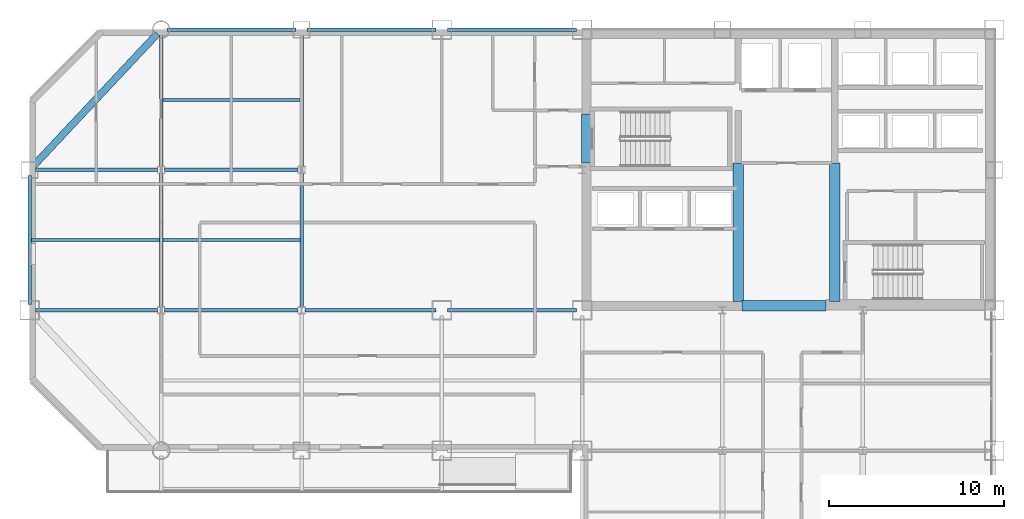
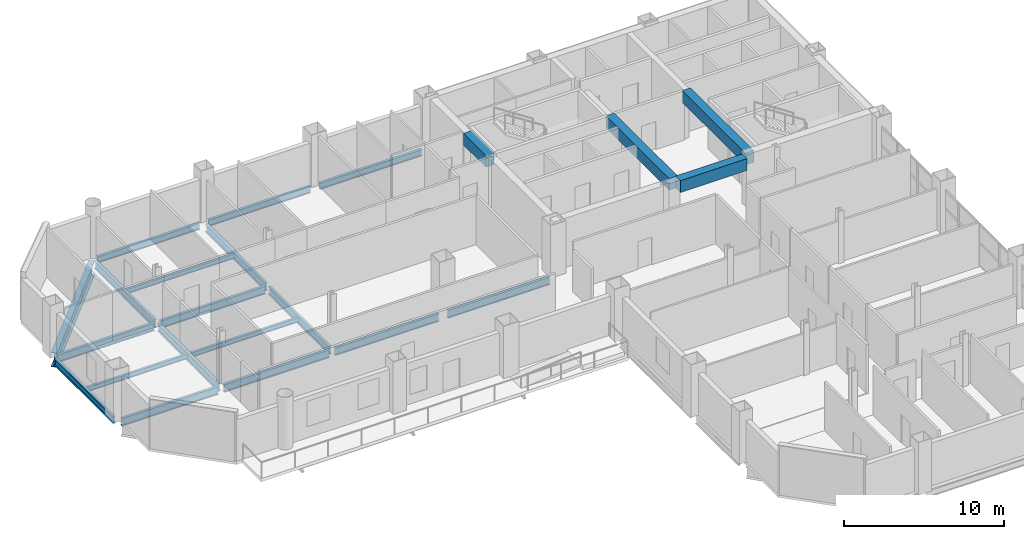
# One storey, part 9 of 16: 22 beams.
"""IFC4 building model written with IfcOpenShell, lengths in metres."""

from ifc_helpers import new_model, si_unit, direction, frame, origin, origin_2d, place, context, subcontext, project, spatial, rectangle, i_section, extrude, material, material_profile, profile_set, type_object, element, save


model = new_model("IFC4")

# Units and contexts
model_context = context("Model", 3, precision=1e-05, world=origin(), true_north=direction((0.0, 1.0)))
body_context = subcontext(model_context, "Body", "Model", "MODEL_VIEW")
ifc_project = project(units=[si_unit("LENGTHUNIT", "METRE"), si_unit("AREAUNIT", "SQUARE_METRE"), si_unit("VOLUMEUNIT", "CUBIC_METRE"), si_unit("PLANEANGLEUNIT", "RADIAN"), si_unit("MASSUNIT", "GRAM", prefix="KILO")], contexts=[model_context])

# Site, building, storey
site_placement = place(None, origin())
site = spatial("IfcSite", under=ifc_project, at=site_placement, CompositionType="ELEMENT")
building_placement = place(site_placement, origin())
building = spatial("IfcBuilding", under=site, at=building_placement, Name="Qianrong Seaharbour Tower", CompositionType="ELEMENT")
storey_placement = place(building_placement, frame((0.0, 0.0, 119.0)))
storey = spatial("IfcBuildingStorey", under=building, at=storey_placement, Name="L28", CompositionType="ELEMENT", Elevation=119.0)

# Beams
ifc_material_1 = material(Name="Structural steel SN490B", Category="steel")
ifc_material_profile_1 = material_profile(ifc_material_1, i_section(OverallWidth=0.199951171875, OverallDepth=0.60009765625, WebThickness=0.010986328125, FlangeThickness=0.01708984375, FilletRadius=0.02197265625, at=origin_2d()), Name="H600x200x11x17")
ifc_profile_set_1 = profile_set([ifc_material_profile_1], Name="Structural steel SN490B")
beam_type_1 = type_object("IfcBeamType", Name="BM-G-600", PredefinedType="BEAM", material=ifc_profile_set_1)
beam_1_placement = place(storey_placement, frame((9.320068359375, 36.0, -0.534912109375), z_axis=(1.0, 0.0, 0.0), x_axis=(0.0, 1.0, 0.0)))
element("IfcBeam", 1, at=beam_1_placement, inside=storey, type_object=beam_type_1, Name="L28 Primary Girder GF G2-G3", PredefinedType="BEAM", context=body_context, shape_type="SweptSolid", body=[
    extrude(i_section(OverallWidth=0.199951171875, OverallDepth=0.60009765625, WebThickness=0.010986328125, FlangeThickness=0.01708984375, FilletRadius=0.02197265625, at=origin_2d()), origin(), (0.0, 0.0, 1.0), 6.97998046875),
])
beam_2_placement = place(storey_placement, frame((16.699951171875, 36.0, -0.534912109375), z_axis=(1.0, 0.0, 0.0), x_axis=(0.0, 1.0, 0.0)))
element("IfcBeam", 2, at=beam_2_placement, inside=storey, type_object=beam_type_1, Name="L28 Primary Girder GF G3-G4", PredefinedType="BEAM", context=body_context, shape_type="SweptSolid", body=[
    extrude(i_section(OverallWidth=0.199951171875, OverallDepth=0.60009765625, WebThickness=0.010986328125, FlangeThickness=0.01708984375, FilletRadius=0.02197265625, at=origin_2d()), origin(), (0.0, 0.0, 1.0), 7.60009765625),
])
beam_3_placement = place(storey_placement, frame((24.699951171875, 36.0, -0.534912109375), z_axis=(1.0, 0.0, 0.0), x_axis=(0.0, 1.0, 0.0)))
element("IfcBeam", 3, at=beam_3_placement, inside=storey, type_object=beam_type_1, Name="L28 Primary Girder GF G4-G5", PredefinedType="BEAM", context=body_context, shape_type="SweptSolid", body=[
    extrude(i_section(OverallWidth=0.199951171875, OverallDepth=0.60009765625, WebThickness=0.010986328125, FlangeThickness=0.01708984375, FilletRadius=0.02197265625, at=origin_2d()), origin(), (0.0, 0.0, 1.0), 7.47998046875),
])
beam_4_placement = place(storey_placement, frame((32.820068359375, 36.0, -0.534912109375), z_axis=(1.0, 0.0, 0.0), x_axis=(0.0, 1.0, 0.0)))
element("IfcBeam", 4, at=beam_4_placement, inside=storey, type_object=beam_type_1, Name="L28 Primary Girder GF G5-G6", PredefinedType="BEAM", context=body_context, shape_type="SweptSolid", body=[
    extrude(i_section(OverallWidth=0.199951171875, OverallDepth=0.60009765625, WebThickness=0.010986328125, FlangeThickness=0.01708984375, FilletRadius=0.02197265625, at=origin_2d()), origin(), (0.0, 0.0, 1.0), 7.35986328125),
])
beam_5_placement = place(storey_placement, frame((9.320068359375, 44.0, -0.534912109375), z_axis=(1.0, 0.0, 0.0), x_axis=(0.0, 1.0, 0.0)))
element("IfcBeam", 5, at=beam_5_placement, inside=storey, type_object=beam_type_1, Name="L28 Primary Girder GG G2-G3", PredefinedType="BEAM", context=body_context, shape_type="SweptSolid", body=[
    extrude(i_section(OverallWidth=0.199951171875, OverallDepth=0.60009765625, WebThickness=0.010986328125, FlangeThickness=0.01708984375, FilletRadius=0.02197265625, at=origin_2d()), origin(), (0.0, 0.0, 1.0), 6.97998046875),
])
for number, where, z_axis, x_axis, name in (
    (6, (16.699951171875, 44.0, -0.534912109375), (1.0, 0.0, 0.0), (0.0, 1.0, 0.0), "L28 Primary Girder GG G3-G4"),
    (7, (16.5, 36.199951171875, -0.534912109375), (0.0, 1.0, 0.0), (-1.0, 0.0, 0.0), "L28 Primary Girder G3 GF-GG"),
):
    element("IfcBeam", number, at=place(storey_placement, frame(where, z_axis=z_axis, x_axis=x_axis)), inside=storey, type_object=beam_type_1, Name=name, PredefinedType="BEAM", context=body_context, shape_type="SweptSolid", body=[
        extrude(i_section(OverallWidth=0.199951171875, OverallDepth=0.60009765625, WebThickness=0.010986328125, FlangeThickness=0.01708984375, FilletRadius=0.02197265625, at=origin_2d()), origin(), (0.0, 0.0, 1.0), 7.60009765625),
    ])
beam_6_placement = place(storey_placement, frame((16.5, 44.199951171875, -0.534912109375), z_axis=(0.0, 1.0, 0.0), x_axis=(-1.0, 0.0, 0.0)))
element("IfcBeam", 8, at=beam_6_placement, inside=storey, type_object=beam_type_1, Name="L28 Primary Girder G3 GG-GH", PredefinedType="BEAM", context=body_context, shape_type="SweptSolid", body=[
    extrude(i_section(OverallWidth=0.199951171875, OverallDepth=0.60009765625, WebThickness=0.010986328125, FlangeThickness=0.01708984375, FilletRadius=0.02197265625, at=origin_2d()), origin(), (0.0, 0.0, 1.0), 7.47998046875),
])
beam_7_placement = place(storey_placement, frame((24.5, 36.199951171875, -0.534912109375), z_axis=(0.0, 1.0, 0.0), x_axis=(-1.0, 0.0, 0.0)))
element("IfcBeam", 9, at=beam_7_placement, inside=storey, type_object=beam_type_1, Name="L28 Primary Girder G4 GF-GG", PredefinedType="BEAM", context=body_context, shape_type="SweptSolid", body=[
    extrude(i_section(OverallWidth=0.199951171875, OverallDepth=0.60009765625, WebThickness=0.010986328125, FlangeThickness=0.01708984375, FilletRadius=0.02197265625, at=origin_2d()), origin(), (0.0, 0.0, 1.0), 7.60009765625),
])
beam_8_placement = place(storey_placement, frame((24.5, 44.199951171875, -0.534912109375), z_axis=(0.0, 1.0, 0.0), x_axis=(-1.0, 0.0, 0.0)))
element("IfcBeam", 10, at=beam_8_placement, inside=storey, type_object=beam_type_1, Name="L28 Primary Girder G4 GG-GH", PredefinedType="BEAM", context=body_context, shape_type="SweptSolid", body=[
    extrude(i_section(OverallWidth=0.199951171875, OverallDepth=0.60009765625, WebThickness=0.010986328125, FlangeThickness=0.01708984375, FilletRadius=0.02197265625, at=origin_2d()), origin(), (0.0, 0.0, 1.0), 7.47998046875),
])
ifc_material_2 = material(Name="Structural steel SN400B", Category="steel")
ifc_material_profile_2 = material_profile(ifc_material_2, i_section(OverallWidth=0.175048828125, OverallDepth=0.35009765625, WebThickness=0.007080078125, FlangeThickness=0.010986328125, FilletRadius=0.013916015625, at=origin_2d()), Name="H350x175x7x11")
ifc_profile_set_2 = profile_set([ifc_material_profile_2], Name="Structural steel SN400B")
beam_type_2 = type_object("IfcBeamType", Name="BM-J-350", PredefinedType="JOIST", material=ifc_profile_set_2)
beam_9_placement = place(storey_placement, frame((9.10009765625, 40.0, -0.409912109375), z_axis=(1.0, 0.0, 0.0), x_axis=(0.0, 1.0, 0.0)))
element("IfcBeam", 11, at=beam_9_placement, inside=storey, type_object=beam_type_2, Name="L28 Composite Floor Joist G2-G3/GF-GG", PredefinedType="JOIST", context=body_context, shape_type="SweptSolid", body=[
    extrude(i_section(OverallWidth=0.175048828125, OverallDepth=0.35009765625, WebThickness=0.007080078125, FlangeThickness=0.010986328125, FilletRadius=0.013916015625, at=origin_2d()), origin(), (0.0, 0.0, 1.0), 7.2998046875),
])
for number, where, z_axis, x_axis, name in (
    (12, (16.60009765625, 40.0, -0.409912109375), (1.0, 0.0, 0.0), (0.0, 1.0, 0.0), "L28 Composite Floor Joist G3-G4/GF-GG"),
    (13, (16.60009765625, 48.0, -0.409912109375), (1.0, 0.0, 0.0), (0.0, 1.0, 0.0), "L28 Composite Floor Joist G3-G4/GG-GH"),
):
    element("IfcBeam", number, at=place(storey_placement, frame(where, z_axis=z_axis, x_axis=x_axis)), inside=storey, type_object=beam_type_2, Name=name, PredefinedType="JOIST", context=body_context, shape_type="SweptSolid", body=[
        extrude(i_section(OverallWidth=0.175048828125, OverallDepth=0.35009765625, WebThickness=0.007080078125, FlangeThickness=0.010986328125, FilletRadius=0.013916015625, at=origin_2d()), origin(), (0.0, 0.0, 1.0), 7.7998046875),
    ])
ifc_material_3 = material(Name="Concrete C70/85", Category="concrete")
ifc_material_profile_3 = material_profile(ifc_material_3, rectangle(XDim=0.60009765625, YDim=0.89990234375, at=origin_2d()), Name="RC600x900")
ifc_profile_set_3 = profile_set([ifc_material_profile_3], Name="Concrete C70/85")
beam_type_3 = type_object("IfcBeamType", Name="BM-LINTEL-900", PredefinedType="LINTEL", material=ifc_profile_set_3)
beam_10_placement = place(storey_placement, frame((40.75, 44.39990234375, 3.31494140625), z_axis=(0.0, 1.0, 0.0), x_axis=(-1.0, 0.0, 0.0)))
element("IfcBeam", 14, at=beam_10_placement, inside=storey, type_object=beam_type_3, Name="L28 Core Coupling Lintel Beam West", PredefinedType="LINTEL", context=body_context, shape_type="SweptSolid", body=[
    extrude(rectangle(XDim=0.60009765625, YDim=0.89990234375, at=origin_2d()), origin(), (0.0, 0.0, 1.0), 2.800048828125),
])
beam_11_placement = place(storey_placement, frame((49.60009765625, 36.25, 3.31494140625), z_axis=(1.0, 0.0, 0.0), x_axis=(0.0, 1.0, 0.0)))
element("IfcBeam", 15, at=beam_11_placement, inside=storey, type_object=beam_type_3, Name="L28 Core Coupling Lintel Beam CBC", PredefinedType="LINTEL", context=body_context, shape_type="SweptSolid", body=[
    extrude(rectangle(XDim=0.60009765625, YDim=0.89990234375, at=origin_2d()), origin(), (0.0, 0.0, 1.0), 4.7998046875),
])
for number, where, z_axis, x_axis, name in (
    (16, (49.39990234375, 36.5, 3.31494140625), (0.0, 1.0, 0.0), (-1.0, 0.0, 0.0), "L28 Internal Core Coupling Beam IW1"),
    (17, (54.89990234375, 36.5, 3.31494140625), (0.0, 1.0, 0.0), (-1.0, 0.0, 0.0), "L28 Internal Core Coupling Beam IW2"),
):
    element("IfcBeam", number, at=place(storey_placement, frame(where, z_axis=z_axis, x_axis=x_axis)), inside=storey, type_object=beam_type_3, Name=name, PredefinedType="LINTEL", context=body_context, shape_type="SweptSolid", body=[
        extrude(rectangle(XDim=0.60009765625, YDim=0.89990234375, at=origin_2d()), origin(), (0.0, 0.0, 1.0), 7.89990234375),
    ])
ifc_material_profile_4 = material_profile(ifc_material_1, i_section(OverallWidth=0.199951171875, OverallDepth=0.5, WebThickness=0.010009765625, FlangeThickness=0.01611328125, FilletRadius=0.02001953125, at=origin_2d()), Name="H500x200x10x16")
ifc_profile_set_4 = profile_set([ifc_material_profile_4], Name="Structural steel SN490B")
beam_type_4 = type_object("IfcBeamType", Name="BM-SP-500", PredefinedType="SPANDREL", material=ifc_profile_set_4)
for number, where, z_axis, x_axis, name in (
    (18, (16.820068359375, 52.0, -0.485107421875), (1.0, 0.0, 0.0), (0.0, 1.0, 0.0), "L28 Spandrel Girder GH G3-G4"),
    (19, (24.820068359375, 52.0, -0.485107421875), (1.0, 0.0, 0.0), (0.0, 1.0, 0.0), "L28 Spandrel Girder GH G4-G5"),
    (20, (32.820068359375, 52.0, -0.485107421875), (1.0, 0.0, 0.0), (0.0, 1.0, 0.0), "L28 Spandrel Girder GH G5-G6"),
    (21, (9.0, 36.320068359375, -0.485107421875), (0.0, 1.0, 0.0), (-1.0, 0.0, 0.0), "L28 Spandrel Girder G2 GF-GG"),
):
    element("IfcBeam", number, at=place(storey_placement, frame(where, z_axis=z_axis, x_axis=x_axis)), inside=storey, type_object=beam_type_4, Name=name, PredefinedType="SPANDREL", context=body_context, shape_type="SweptSolid", body=[
        extrude(i_section(OverallWidth=0.199951171875, OverallDepth=0.5, WebThickness=0.010009765625, FlangeThickness=0.01611328125, FilletRadius=0.02001953125, at=origin_2d()), origin(), (0.0, 0.0, 1.0), 7.35986328125),
    ])
ifc_material_profile_5 = material_profile(ifc_material_1, i_section(OverallWidth=0.39990234375, OverallDepth=1.10009765625, WebThickness=0.02001953125, FlangeThickness=0.035888671875, at=origin_2d()), Name="BH1100x400x20x36")
ifc_profile_set_5 = profile_set([ifc_material_profile_5], Name="Structural steel SN490B")
beam_type_5 = type_object("IfcBeamType", Name="BM-TG-1100", PredefinedType="BEAM", material=ifc_profile_set_5)
beam_12_placement = place(storey_placement, frame((16.28125, 51.7666015625, -0.784912109375), z_axis=(-0.683947420573, -0.729531305628, 0.0), x_axis=(0.729531305628, -0.683947420573, 0.0)))
element("IfcBeam", 22, at=beam_12_placement, inside=storey, type_object=beam_type_5, Name="L28 Chamfer Corner Spandrel Girder G2/GH", PredefinedType="BEAM", context=body_context, shape_type="SweptSolid", body=[
    extrude(i_section(OverallWidth=0.39990234375, OverallDepth=1.10009765625, WebThickness=0.02001953125, FlangeThickness=0.035888671875, at=origin_2d()), origin(), (0.0, 0.0, 1.0), 10.326171875),
])

save(model, "model.ifc")
